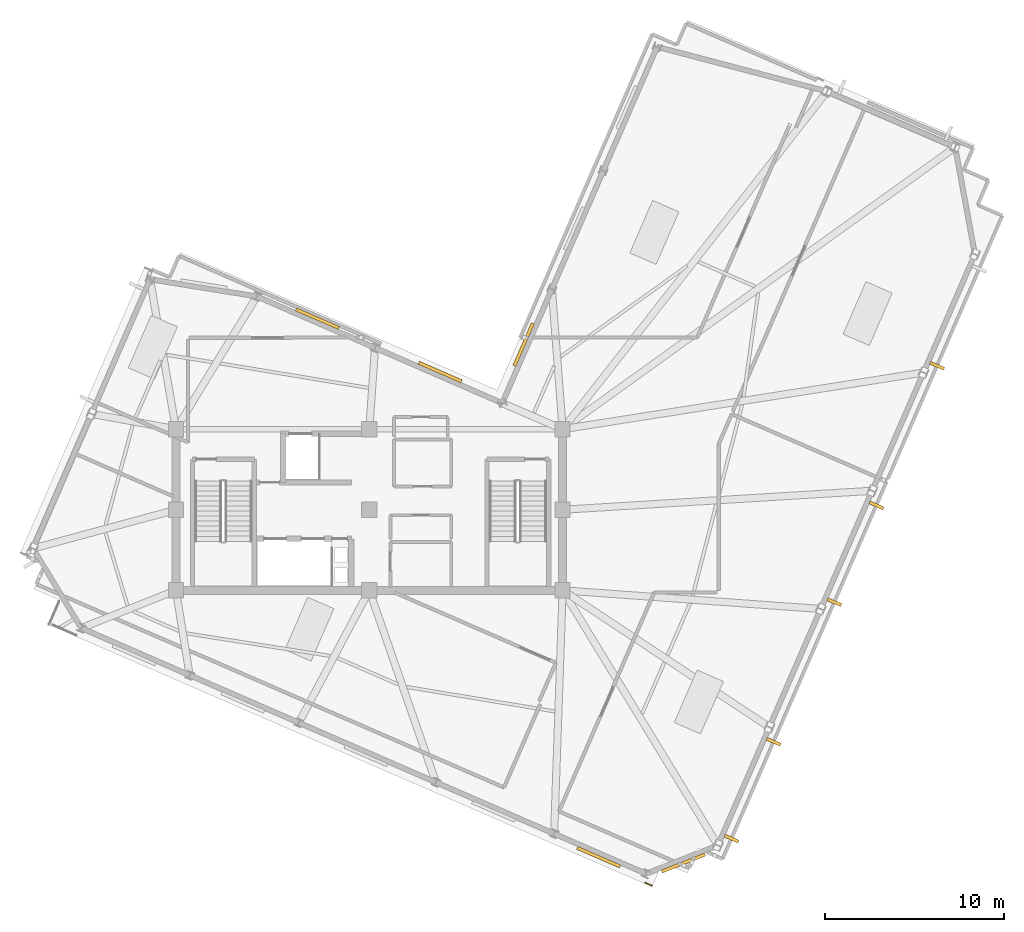
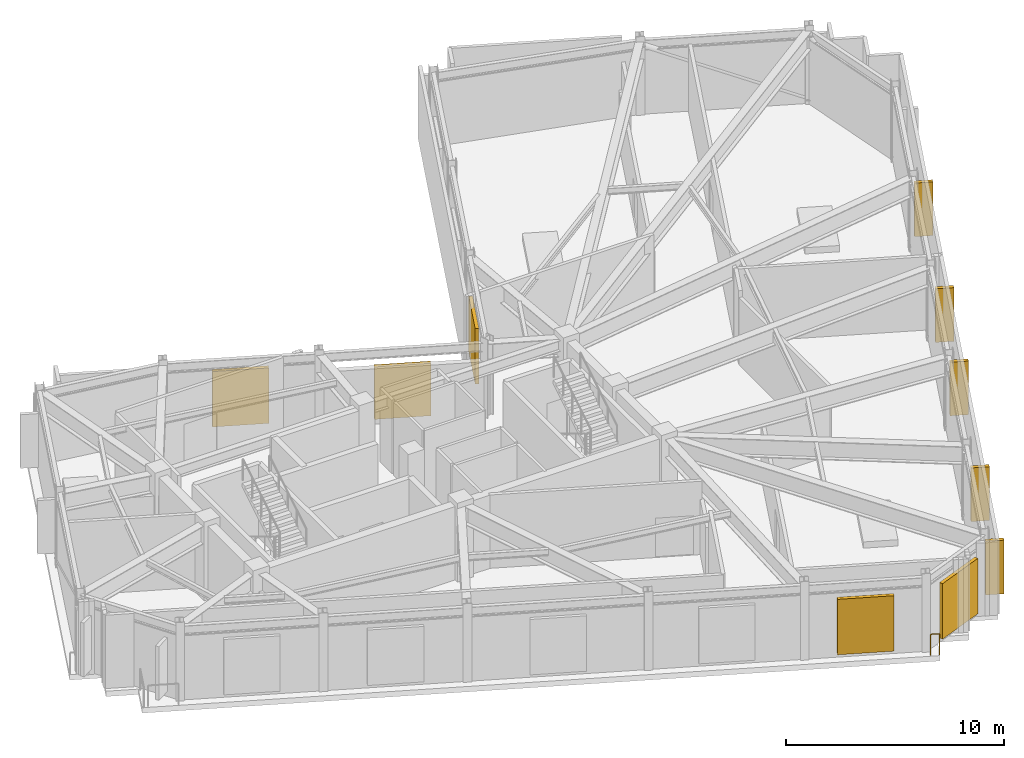
# One storey, part 10 of 11: 10 shading devices, 1 railing.
"""IFC4 building model written with IfcOpenShell, lengths in metres."""

from ifc_helpers import new_model, si_unit, direction, frame, origin, origin_2d, place, context, subcontext, project, spatial, rectangle, circle, extrude, material, layer, layer_set, type_object, element, save


model = new_model("IFC4")

# Units and contexts
model_context = context("Model", 3, precision=1e-05, world=origin(), true_north=direction((0.0, 1.0)))
body_context = subcontext(model_context, "Body", "Model", "MODEL_VIEW")
ifc_project = project(units=[si_unit("LENGTHUNIT", "METRE"), si_unit("AREAUNIT", "SQUARE_METRE"), si_unit("VOLUMEUNIT", "CUBIC_METRE"), si_unit("PLANEANGLEUNIT", "RADIAN"), si_unit("MASSUNIT", "GRAM", prefix="KILO")], contexts=[model_context])

# Site, building, storey
site_placement = place(None, origin())
site = spatial("IfcSite", under=ifc_project, at=site_placement, CompositionType="ELEMENT")
building_placement = place(site_placement, origin())
building = spatial("IfcBuilding", under=site, at=building_placement, Name="Gaonmaruhae Medical Tower", CompositionType="ELEMENT")
storey_placement = place(building_placement, frame((0.0, 0.0, 338.199951171875)))
storey = spatial("IfcBuildingStorey", under=building, at=storey_placement, Name="L81", CompositionType="ELEMENT", Elevation=338.199951171875)

# Railing
ifc_material_1 = material(Name="Stainless steel 316L and laminated safety glass", Category="steel")
ifc_layer = layer(ifc_material_1, 0.080078125)
ifc_layer_set = layer_set([ifc_layer], Name="Stainless steel 316L and laminated safety glass")
railing_type = type_object("IfcRailingType", Name="GD-120 Outdoor Terrace Safety Glass & Steel Balustrade", PredefinedType="BALUSTRADE", material=ifc_layer_set)
railing_placement = place(storey_placement, frame((40.218017578125, -8.53369140625, 0.0)))
element("IfcRailing", 1, at=railing_placement, inside=storey, type_object=railing_type, Name="L81 Perimeter Slab Edge Safety Balustrade 06", PredefinedType="BALUSTRADE", context=body_context, shape_type="SweptSolid", body=[
    extrude(circle(Radius=0.02392578125, at=origin_2d()), frame((0.0, 0.0, 1.17578125), z_axis=(0.917144149628, -0.398555653333, 0.0), x_axis=(0.398555653333, 0.917144149628, 0.0)), (0.0, 0.0, 1.0), 0.4189453125),
    extrude(circle(Radius=0.02099609375, at=origin_2d()), origin(), (0.0, 0.0, 1.0), 1.15185546875),
    extrude(circle(Radius=0.02099609375, at=origin_2d()), frame((0.38427734375, -0.1669921875, 0.0)), (0.0, 0.0, 1.0), 1.15185546875),
])

# Shading devices
ifc_material_2 = material(Name="Pigmented coral precast concrete C45/55", Category="concrete")
shading_device_type_1 = type_object("IfcShadingDeviceType", Name="SD-FIN1 Tower Vertical Coral Precast Shading Fin", PredefinedType="USERDEFINED", material=ifc_material_2)
for number, where, z_axis, x_axis, name in (
    (2, (47.38671875, -0.658935546875, 0.29248046875), (0.0, 0.0, 1.0), (-0.398749068925, -0.917060074385, 0.0), "L81 Vertical Coral Precast Shading Fin S01"),
    (3, (45.0341796875, -6.069580078125, 0.29248046875), (0.0, 0.0, 1.0), (-0.398749068925, -0.917060074385, 0.0), "L81 Vertical Coral Precast Shading Fin S01B"),
    (4, (53.128662109375, 12.546630859375, 0.29248046875), (0.0, 0.0, 1.0), (-0.398749068925, -0.917060074385, 0.0), "L81 Vertical Coral Precast Shading Fin S03"),
    (5, (50.776123046875, 7.135986328125, 0.29248046875), (0.0, 0.0, 1.0), (-0.398749068925, -0.917060074385, 0.0), "L81 Vertical Coral Precast Shading Fin S03B"),
    (6, (56.51806640625, 20.341796875, 0.29248046875), (0.0, 0.0, 1.0), (-0.398749068925, -0.917060074385, 0.0), "L81 Vertical Coral Precast Shading Fin S05B"),
):
    element("IfcShadingDevice", number, at=place(storey_placement, frame(where, z_axis=z_axis, x_axis=x_axis)), inside=storey, type_object=shading_device_type_1, Name=name, ObjectType="FIN", PredefinedType="USERDEFINED", context=body_context, shape_type="SweptSolid", body=[
        extrude(rectangle(XDim=0.179931640625, YDim=0.85009765625, at=origin_2d()), origin(), (0.0, 0.0, 1.0), 3.0),
    ])
ifc_material_3 = material(Name="Anodised aluminium louvre", Category="aluminium")
shading_device_type_2 = type_object("IfcShadingDeviceType", Name="SD-LVR1 Crown Acoustic Intake Aluminium Louvre", PredefinedType="USERDEFINED", material=ifc_material_3)
shading_device_1_placement = place(storey_placement, frame((33.419189453125, 21.525390625, 0.242431640625), z_axis=(0.0, 0.0, 1.0), x_axis=(0.398749068925, 0.917060074385, 0.0)))
element("IfcShadingDevice", 7, at=shading_device_1_placement, inside=storey, type_object=shading_device_type_2, Name="L81 Crown Mechanical Intake Louvre EN02", ObjectType="LOUVRE", PredefinedType="USERDEFINED", context=body_context, shape_type="SweptSolid", body=[
    extrude(rectangle(XDim=2.60009765625, YDim=0.179931640625, at=origin_2d()), origin(), (0.0, 0.0, 1.0), 3.10009765625),
])
shading_device_2_placement = place(storey_placement, frame((28.75634765625, 19.99267578125, 0.074951171875), z_axis=(0.0, 0.0, 1.0), x_axis=(0.917053114761, -0.398765074582, 0.0)))
element("IfcShadingDevice", 8, at=shading_device_2_placement, inside=storey, type_object=shading_device_type_2, Name="L81 Crown Mechanical Intake Louvre KN01", ObjectType="LOUVRE", PredefinedType="USERDEFINED", context=body_context, shape_type="SweptSolid", body=[
    extrude(rectangle(XDim=2.60009765625, YDim=0.179931640625, at=origin_2d()), origin(), (0.0, 0.0, 1.0), 2.93505859375),
])
for number, where, z_axis, x_axis, name in (
    (9, (21.9013671875, 22.973388671875, 0.242431640625), (0.0, 0.0, 1.0), (0.91706703373, -0.398733063147, 0.0), "L81 Crown Mechanical Intake Louvre NE01"),
    (10, (37.6103515625, -7.10546875, 0.242431640625), (0.0, 0.0, 1.0), (-0.917060074385, 0.398749068925, 0.0), "L81 Crown Mechanical Intake Louvre W05"),
    (11, (42.345458984375, -7.43408203125, 0.242431640625), (0.0, 0.0, 1.0), (-0.930411171187, -0.366517465518, 0.0), "L81 Crown Mechanical Intake Louvre W06"),
):
    element("IfcShadingDevice", number, at=place(storey_placement, frame(where, z_axis=z_axis, x_axis=x_axis)), inside=storey, type_object=shading_device_type_2, Name=name, ObjectType="LOUVRE", PredefinedType="USERDEFINED", context=body_context, shape_type="SweptSolid", body=[
        extrude(rectangle(XDim=2.60009765625, YDim=0.179931640625, at=origin_2d()), origin(), (0.0, 0.0, 1.0), 3.10009765625),
    ])

save(model, "model.ifc")
